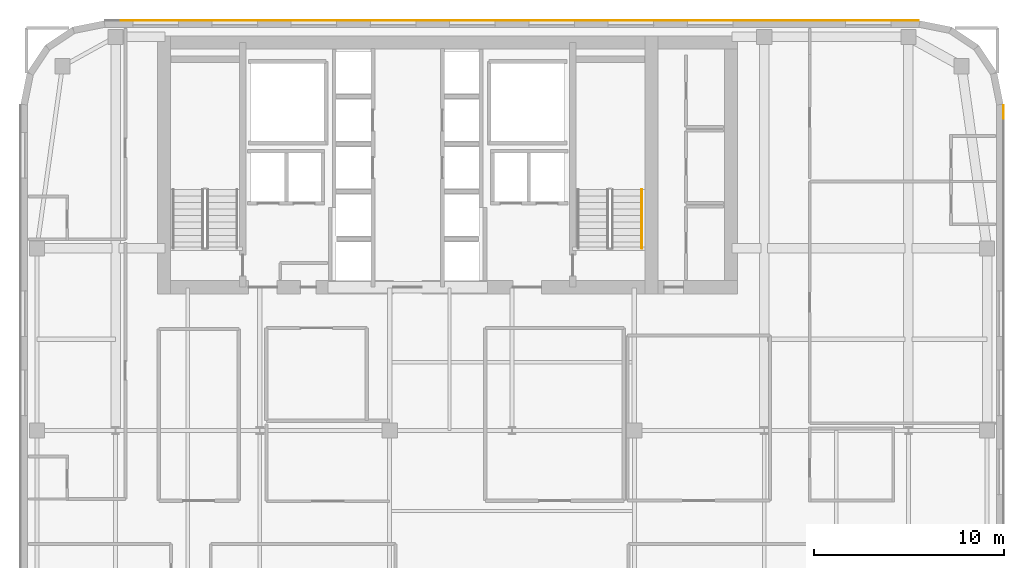
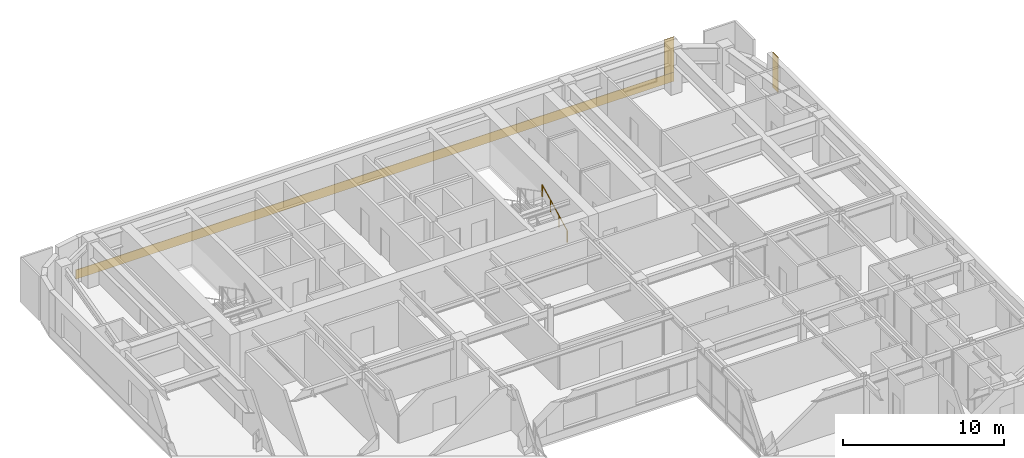
# One storey, part 20 of 20: 3 coverings, 1 railing.
"""IFC4 building model written with IfcOpenShell, lengths in metres."""

from ifc_helpers import new_model, si_unit, direction, frame, origin, origin_2d, place, context, subcontext, project, spatial, polyline, circle, outline, extrude, material, layer, layer_set, type_object, element, save


model = new_model("IFC4")

# Units and contexts
model_context = context("Model", 3, precision=1e-05, world=origin(), true_north=direction((0.0, 1.0)))
body_context = subcontext(model_context, "Body", "Model", "MODEL_VIEW")
ifc_project = project(units=[si_unit("LENGTHUNIT", "METRE"), si_unit("AREAUNIT", "SQUARE_METRE"), si_unit("VOLUMEUNIT", "CUBIC_METRE"), si_unit("PLANEANGLEUNIT", "RADIAN"), si_unit("MASSUNIT", "GRAM", prefix="KILO")], contexts=[model_context])

# Site, building, storey
site_placement = place(None, origin())
site = spatial("IfcSite", under=ifc_project, at=site_placement, CompositionType="ELEMENT")
building_placement = place(site_placement, origin())
building = spatial("IfcBuilding", under=site, at=building_placement, Name="Tolvann Quenvar Hotel", CompositionType="ELEMENT")
storey_placement = place(building_placement, frame((0.0, 0.0, 175.449951171875)))
storey = spatial("IfcBuildingStorey", under=building, at=storey_placement, Name="L46", CompositionType="ELEMENT", Elevation=175.449951171875)

# Coverings
ifc_material_1 = material(Name="Kiln-fired red architectural face brick cladding", Category="masonry")
ifc_layer_1 = layer(ifc_material_1, 0.0400390625)
ifc_layer_set_1 = layer_set([ifc_layer_1], Name="Kiln-fired red architectural face brick cladding")
covering_type_1 = type_object("IfcCoveringType", Name="COV_CLAD_BRICK_40", PredefinedType="CLADDING", material=ifc_layer_set_1)
covering_1_placement = place(storey_placement, frame((0.0, 0.0, 0.699951171875)))
element("IfcCovering", 1, at=covering_1_placement, inside=storey, type_object=covering_type_1, Name="Brick Pier Cladding (L46-E13-P2)", PredefinedType="CLADDING", context=body_context, shape_type="SweptSolid", body=[
    extrude(outline(polyline([(54.39990234375, 40.832763671875), (54.39990234375, 41.53271484375), (54.43994140625, 41.53271484375), (54.43994140625, 40.832763671875), (54.39990234375, 40.832763671875)])), origin(), (0.0, 0.0, 1.0), 2.670166015625),
])
covering_2_placement = place(storey_placement, frame((0.0, 0.0, 0.699951171875)))
element("IfcCovering", 2, at=covering_2_placement, inside=storey, type_object=covering_type_1, Name="Brick Pier Cladding (L46-E18-P1)", PredefinedType="CLADDING", context=body_context, shape_type="SweptSolid", body=[
    extrude(outline(polyline([(49.932861328125, 46.0), (49.23291015625, 46.0), (49.23291015625, 46.0400390625), (49.932861328125, 46.0400390625), (49.932861328125, 46.0)])), origin(), (0.0, 0.0, 1.0), 2.670166015625),
])
ifc_material_2 = material(Name="Moulded buff architectural terracotta spandrel cladding", Category="masonry")
ifc_layer_2 = layer(ifc_material_2, 0.0400390625)
ifc_layer_set_2 = layer_set([ifc_layer_2], Name="Moulded buff architectural terracotta spandrel cladding")
covering_type_2 = type_object("IfcCoveringType", Name="COV_CLAD_TERRA_40", PredefinedType="CLADDING", material=ifc_layer_set_2)
covering_3_placement = place(storey_placement, origin())
element("IfcCovering", 3, at=covering_3_placement, inside=storey, type_object=covering_type_2, Name="Terracotta Spandrel Cladding (L46-E18)", PredefinedType="CLADDING", context=body_context, shape_type="SweptSolid", body=[
    extrude(outline(polyline([(49.94287109375, 46.0), (7.05712890625, 46.0), (7.05712890625, 46.0400390625), (49.94287109375, 46.0400390625), (49.94287109375, 46.0)])), origin(), (0.0, 0.0, 1.0), 0.699951171875),
])

# Railing
ifc_material_3 = material(Name="Brushed 316 stainless steel balustrade and handrail", Category="steel")
railing_type = type_object("IfcRailingType", Name="HANDRAIL", PredefinedType="HANDRAIL", material=ifc_material_3)
railing_placement = place(storey_placement, frame((35.35009765625, 34.0, 0.177490234375)))
element("IfcRailing", 4, at=railing_placement, inside=storey, type_object=railing_type, Name="L46 ST-C2 stair handrail 1", PredefinedType="HANDRAIL", context=body_context, shape_type="SweptSolid", body=[
    extrude(circle(Radius=0.02392578125, at=origin_2d()), frame((0.0, 0.0, 0.8759765625), z_axis=(0.0, 0.88919353882, 0.457531256332), x_axis=(-1.0, 0.0, 0.0)), (0.0, 0.0, 1.0), 3.491943359375),
    extrude(circle(Radius=0.02099609375, at=origin_2d()), origin(), (0.0, 0.0, 1.0), 0.851806640625),
    extrude(circle(Radius=0.02099609375, at=origin_2d()), frame((0.0, 1.034912109375, 0.532470703125)), (0.0, 0.0, 1.0), 0.851806640625),
    extrude(circle(Radius=0.02099609375, at=origin_2d()), frame((0.0, 2.070068359375, 1.065185546875)), (0.0, 0.0, 1.0), 0.851806640625),
    extrude(circle(Radius=0.02099609375, at=origin_2d()), frame((0.0, 3.10498046875, 1.59765625)), (0.0, 0.0, 1.0), 0.851806640625),
])

save(model, "model.ifc")
